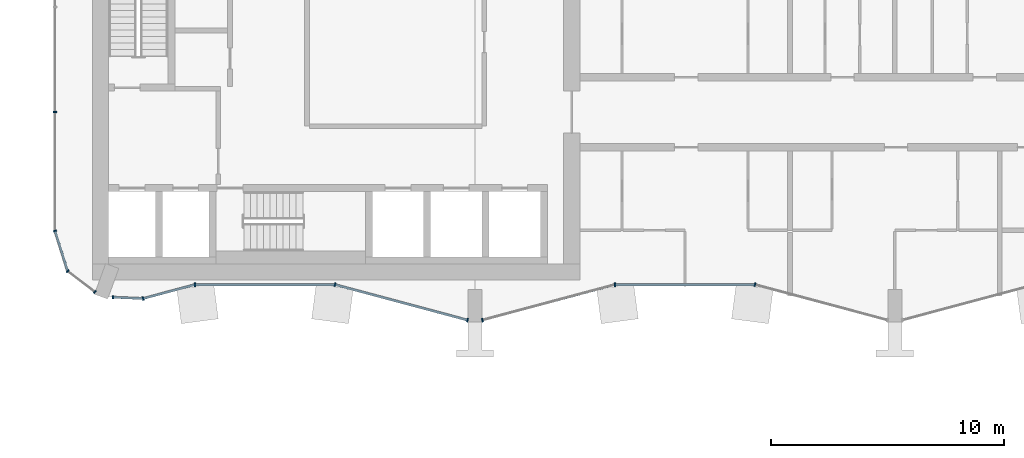
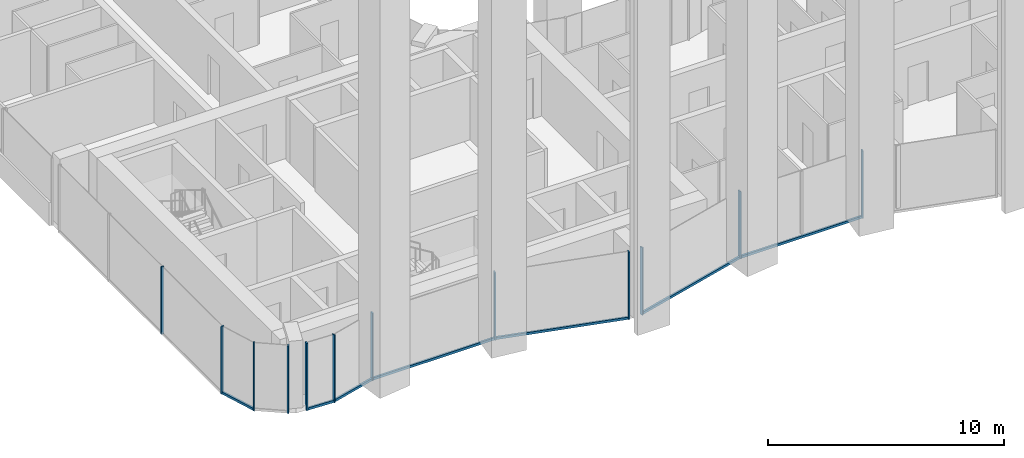
# One storey, part 2 of 27: 19 members, 10 elements without a shape of their own.
"""IFC4 building model written with IfcOpenShell, lengths in metres."""

from ifc_helpers import new_model, si_unit, direction, frame, origin, origin_2d, place, context, subcontext, project, spatial, rectangle, extrude, material, layer, layer_set, material_profile, profile_set, type_object, element, aggregate, save


model = new_model("IFC4")

# Units and contexts
model_context = context("Model", 3, precision=1e-05, world=origin(), true_north=direction((0.0, 1.0)))
body_context = subcontext(model_context, "Body", "Model", "MODEL_VIEW")
ifc_project = project(units=[si_unit("LENGTHUNIT", "METRE"), si_unit("AREAUNIT", "SQUARE_METRE"), si_unit("VOLUMEUNIT", "CUBIC_METRE"), si_unit("PLANEANGLEUNIT", "RADIAN"), si_unit("MASSUNIT", "GRAM", prefix="KILO")], contexts=[model_context])

# Site, building, storey
site_placement = place(None, origin())
site = spatial("IfcSite", under=ifc_project, at=site_placement, CompositionType="ELEMENT")
building_placement = place(site_placement, origin())
building = spatial("IfcBuilding", under=site, at=building_placement, Name="Plateau Cross Towers", CompositionType="ELEMENT")
storey_placement = place(building_placement, frame((0.0, 0.0, 78.300048828125)))
storey = spatial("IfcBuildingStorey", under=building, at=storey_placement, Name="L19", CompositionType="ELEMENT", Elevation=78.300048828125)

# Curtain wall, member
ifc_material_1 = material(Name="Dark low-iron glass", Category="glass")
ifc_layer_1 = layer(ifc_material_1, 0.239990234375)
ifc_layer_set_1 = layer_set([ifc_layer_1], Name="Dark low-iron glass")
curtain_wall_type_1 = type_object("IfcCurtainWallType", Name="Curtain wall flush unitised CW-B", PredefinedType="NOTDEFINED", material=ifc_layer_set_1)
curtain_wall_1_placement = place(storey_placement, origin())
curtain_wall_1 = element("IfcCurtainWall", 1, at=curtain_wall_1_placement, inside=storey, type_object=curtain_wall_type_1, Name="ENV/A/L19/A0_177", PredefinedType="NOTDEFINED")
ifc_material_2 = material(Name="Black anodised aluminium", Category="aluminium")
ifc_material_profile_1 = material_profile(ifc_material_2, rectangle(XDim=0.06005859375, YDim=0.139892578125, at=origin_2d()), Name="MULLION 60x140")
ifc_profile_set_1 = profile_set([ifc_material_profile_1], Name="Black anodised aluminium")
member_type_1 = type_object("IfcMemberType", Name="Mullion 60x140 flush unitised", PredefinedType="MULLION", material=ifc_profile_set_1)
member_1_placement = place(storey_placement, frame((0.0, 9.0, -0.25), z_axis=(0.0, 0.0, 1.0), x_axis=(0.0, -1.0, 0.0)))
member_1 = element("IfcMember", 2, at=member_1_placement, type_object=member_type_1, Name="CW-B mullion 3", PredefinedType="MULLION", context=body_context, shape_type="SweptSolid", body=[
    extrude(rectangle(XDim=0.06005859375, YDim=0.139892578125, at=origin_2d()), origin(), (0.0, 0.0, 1.0), 3.5),
])
aggregate(curtain_wall_1, [member_1])

curtain_wall_2_placement = place(storey_placement, origin())
curtain_wall_2 = element("IfcCurtainWall", 3, at=curtain_wall_2_placement, inside=storey, type_object=curtain_wall_type_1, Name="ENV/A/L19/A0_39", PredefinedType="NOTDEFINED")
member_2_placement = place(storey_placement, frame((0.0, 3.9091796875, -0.25), z_axis=(0.0, 0.0, 1.0), x_axis=(0.300686174994, -0.95372313811, 0.0)))
member_2 = element("IfcMember", 4, at=member_2_placement, type_object=member_type_1, Name="CW-B mullion 1", PredefinedType="MULLION", context=body_context, shape_type="SweptSolid", body=[
    extrude(rectangle(XDim=0.06005859375, YDim=0.139892578125, at=origin_2d()), origin(), (0.0, 0.0, 1.0), 3.5),
])

# Curtain wall, members
curtain_wall_3_placement = place(storey_placement, origin())
curtain_wall_3 = element("IfcCurtainWall", 5, at=curtain_wall_3_placement, inside=storey, type_object=curtain_wall_type_1, Name="ENV/A/L19/A5_22", PredefinedType="NOTDEFINED")
member_3_placement = place(storey_placement, frame((0.54248046875, 2.1884765625, -0.25), z_axis=(0.0, 0.0, 1.0), x_axis=(0.793315514529, -0.608810721331, 0.0)))
member_3 = element("IfcMember", 6, at=member_3_placement, type_object=member_type_1, Name="CW-B mullion 1", PredefinedType="MULLION", context=body_context, shape_type="SweptSolid", body=[
    extrude(rectangle(XDim=0.06005859375, YDim=0.139892578125, at=origin_2d()), origin(), (0.0, 0.0, 1.0), 3.5),
])
member_4_placement = place(storey_placement, frame((1.709716796875, 1.292724609375, -0.25), z_axis=(0.0, 0.0, 1.0), x_axis=(0.793315514529, -0.608810721331, 0.0)))
member_4 = element("IfcMember", 7, at=member_4_placement, type_object=member_type_1, Name="CW-B mullion 2", PredefinedType="MULLION", context=body_context, shape_type="SweptSolid", body=[
    extrude(rectangle(XDim=0.06005859375, YDim=0.139892578125, at=origin_2d()), origin(), (0.0, 0.0, 1.0), 3.5),
])
aggregate(curtain_wall_3, [member_3, member_4])

# Curtain wall, member
curtain_wall_4_placement = place(storey_placement, origin())
curtain_wall_4 = element("IfcCurtainWall", 8, at=curtain_wall_4_placement, inside=storey, type_object=curtain_wall_type_1, Name="ENV/A/L19/A25_11", PredefinedType="NOTDEFINED")
member_5_placement = place(storey_placement, frame((2.483642578125, 1.06787109375, -0.25), z_axis=(0.0, 0.0, 1.0), x_axis=(0.999043701491, -0.043722791671, 0.0)))
member_5 = element("IfcMember", 9, at=member_5_placement, type_object=member_type_1, Name="CW-B mullion 1", PredefinedType="MULLION", context=body_context, shape_type="SweptSolid", body=[
    extrude(rectangle(XDim=0.06005859375, YDim=0.139892578125, at=origin_2d()), origin(), (0.0, 0.0, 1.0), 3.5),
])

ifc_layer_2 = layer(ifc_material_1, 0.260009765625)
ifc_layer_set_2 = layer_set([ifc_layer_2], Name="Dark low-iron glass")
curtain_wall_type_2 = type_object("IfcCurtainWallType", Name="Curtain wall fluted unitised CW-A", PredefinedType="NOTDEFINED", material=ifc_layer_set_2)
curtain_wall_5_placement = place(storey_placement, origin())
curtain_wall_5 = element("IfcCurtainWall", 10, at=curtain_wall_5_placement, inside=storey, type_object=curtain_wall_type_2, Name="ENV/A/L19/A38_10", PredefinedType="NOTDEFINED")
ifc_material_profile_2 = material_profile(ifc_material_2, rectangle(XDim=0.06005859375, YDim=0.159912109375, at=origin_2d()), Name="MULLION 60x160")
ifc_profile_set_2 = profile_set([ifc_material_profile_2], Name="Black anodised aluminium")
member_type_2 = type_object("IfcMemberType", Name="Mullion 60x160 fluted unitised", PredefinedType="MULLION", material=ifc_profile_set_2)
member_6_placement = place(storey_placement, frame((3.776123046875, 1.01123046875, -0.25), z_axis=(0.0, 0.0, 1.0), x_axis=(0.965957962328, 0.258699081978, 0.0)))
member_6 = element("IfcMember", 11, at=member_6_placement, type_object=member_type_2, Name="CW-A mullion 1", PredefinedType="MULLION", context=body_context, shape_type="SweptSolid", body=[
    extrude(rectangle(XDim=0.06005859375, YDim=0.159912109375, at=origin_2d()), origin(), (0.0, 0.0, 1.0), 3.5),
])

curtain_wall_6_placement = place(storey_placement, origin())
curtain_wall_6 = element("IfcCurtainWall", 12, at=curtain_wall_6_placement, inside=storey, type_object=curtain_wall_type_2, Name="ENV/A/L19/A60_16", PredefinedType="NOTDEFINED")
member_7_placement = place(storey_placement, frame((6.0, 1.60693359375, -0.25), z_axis=(0.0, 0.0, 1.0), x_axis=(1.0, 0.0, 0.0)))
member_7 = element("IfcMember", 13, at=member_7_placement, type_object=member_type_2, Name="CW-A mullion 1", PredefinedType="MULLION", context=body_context, shape_type="SweptSolid", body=[
    extrude(rectangle(XDim=0.06005859375, YDim=0.159912109375, at=origin_2d()), origin(), (0.0, 0.0, 1.0), 3.5),
])

# Curtain wall, members
curtain_wall_7_placement = place(storey_placement, origin())
curtain_wall_7 = element("IfcCurtainWall", 14, at=curtain_wall_7_placement, inside=storey, type_object=curtain_wall_type_2, Name="ENV/A/L19/A120_16", PredefinedType="NOTDEFINED")
member_8_placement = place(storey_placement, frame((12.0, 1.60693359375, -0.25), z_axis=(0.0, 0.0, 1.0), x_axis=(0.965957983404, -0.258699003279, 0.0)))
member_8 = element("IfcMember", 15, at=member_8_placement, type_object=member_type_2, Name="CW-A mullion 1", PredefinedType="MULLION", context=body_context, shape_type="SweptSolid", body=[
    extrude(rectangle(XDim=0.06005859375, YDim=0.159912109375, at=origin_2d()), origin(), (0.0, 0.0, 1.0), 3.5),
])
member_9_placement = place(storey_placement, frame((17.68212890625, 0.085205078125, -0.25), z_axis=(0.0, 0.0, 1.0), x_axis=(0.965957983404, -0.258699003279, 0.0)))
member_9 = element("IfcMember", 16, at=member_9_placement, type_object=member_type_2, Name="CW-A mullion 2", PredefinedType="MULLION", context=body_context, shape_type="SweptSolid", body=[
    extrude(rectangle(XDim=0.06005859375, YDim=0.159912109375, at=origin_2d()), origin(), (0.0, 0.0, 1.0), 3.5),
])

# Curtain wall, member
curtain_wall_8_placement = place(storey_placement, origin())
curtain_wall_8 = element("IfcCurtainWall", 17, at=curtain_wall_8_placement, inside=storey, type_object=curtain_wall_type_2, Name="ENV/A/L19/A183_1", PredefinedType="NOTDEFINED")
member_10_placement = place(storey_placement, frame((18.31787109375, 0.085205078125, -0.25), z_axis=(0.0, 0.0, 1.0), x_axis=(0.965957983404, 0.258699003279, 0.0)))
member_10 = element("IfcMember", 18, at=member_10_placement, type_object=member_type_2, Name="CW-A mullion 1", PredefinedType="MULLION", context=body_context, shape_type="SweptSolid", body=[
    extrude(rectangle(XDim=0.06005859375, YDim=0.159912109375, at=origin_2d()), origin(), (0.0, 0.0, 1.0), 3.5),
])

curtain_wall_9_placement = place(storey_placement, origin())
curtain_wall_9 = element("IfcCurtainWall", 19, at=curtain_wall_9_placement, inside=storey, type_object=curtain_wall_type_2, Name="ENV/A/L19/A240_16", PredefinedType="NOTDEFINED")
member_11_placement = place(storey_placement, frame((24.0, 1.60693359375, -0.25), z_axis=(0.0, 0.0, 1.0), x_axis=(1.0, 0.0, 0.0)))
member_11 = element("IfcMember", 20, at=member_11_placement, type_object=member_type_2, Name="CW-A mullion 1", PredefinedType="MULLION", context=body_context, shape_type="SweptSolid", body=[
    extrude(rectangle(XDim=0.06005859375, YDim=0.159912109375, at=origin_2d()), origin(), (0.0, 0.0, 1.0), 3.5),
])

curtain_wall_10_placement = place(storey_placement, origin())
curtain_wall_10 = element("IfcCurtainWall", 21, at=curtain_wall_10_placement, inside=storey, type_object=curtain_wall_type_2, Name="ENV/A/L19/A300_16", PredefinedType="NOTDEFINED")
member_12_placement = place(storey_placement, frame((30.0, 1.60693359375, -0.25), z_axis=(0.0, 0.0, 1.0), x_axis=(0.965957983404, -0.258699003279, 0.0)))
member_12 = element("IfcMember", 22, at=member_12_placement, type_object=member_type_2, Name="CW-A mullion 1", PredefinedType="MULLION", context=body_context, shape_type="SweptSolid", body=[
    extrude(rectangle(XDim=0.06005859375, YDim=0.159912109375, at=origin_2d()), origin(), (0.0, 0.0, 1.0), 3.5),
])
aggregate(curtain_wall_10, [member_12])

# Member
ifc_material_profile_3 = material_profile(ifc_material_2, rectangle(XDim=0.10009765625, YDim=0.1201171875, at=origin_2d()), Name="TRANSOM 100x120")
ifc_profile_set_3 = profile_set([ifc_material_profile_3], Name="Black anodised aluminium")
member_type_3 = type_object("IfcMemberType", Name="Transom 100x120 flush unitised", PredefinedType="USERDEFINED", material=ifc_profile_set_3)
member_13_placement = place(storey_placement, frame((0.0, 3.9091796875, -0.18994140625), z_axis=(0.30067799945, -0.953725715626, 0.0), x_axis=(0.953725715626, 0.30067799945, 0.0)))
member_13 = element("IfcMember", 23, at=member_13_placement, type_object=member_type_3, Name="CW-B transom", ObjectType="TRANSOM", PredefinedType="USERDEFINED", context=body_context, shape_type="SweptSolid", body=[
    extrude(rectangle(XDim=0.10009765625, YDim=0.1201171875, at=origin_2d()), origin(), (0.0, 0.0, 1.0), 1.80419921875),
])

aggregate(curtain_wall_2, [member_2, member_13])

member_14_placement = place(storey_placement, frame((2.483642578125, 1.06787109375, -0.18994140625), z_axis=(0.999041144614, -0.043781175963, 0.0), x_axis=(0.043781175963, 0.999041144614, 0.0)))
member_14 = element("IfcMember", 24, at=member_14_placement, type_object=member_type_3, Name="CW-B transom", ObjectType="TRANSOM", PredefinedType="USERDEFINED", context=body_context, shape_type="SweptSolid", body=[
    extrude(rectangle(XDim=0.10009765625, YDim=0.1201171875, at=origin_2d()), origin(), (0.0, 0.0, 1.0), 1.293701171875),
])

aggregate(curtain_wall_4, [member_5, member_14])

ifc_material_profile_4 = material_profile(ifc_material_2, rectangle(XDim=0.10009765625, YDim=0.1201171875, at=origin_2d()), Name="TRANSOM 100x120")
ifc_profile_set_4 = profile_set([ifc_material_profile_4], Name="Black anodised aluminium")
member_type_4 = type_object("IfcMemberType", Name="Transom 100x120 fluted unitised", PredefinedType="USERDEFINED", material=ifc_profile_set_4)
member_15_placement = place(storey_placement, frame((3.776123046875, 1.01123046875, -0.18994140625), z_axis=(0.965945685136, 0.258744919501, 0.0), x_axis=(-0.258744919501, 0.965945685136, 0.0)))
member_15 = element("IfcMember", 25, at=member_15_placement, type_object=member_type_4, Name="CW-A transom", ObjectType="TRANSOM", PredefinedType="USERDEFINED", context=body_context, shape_type="SweptSolid", body=[
    extrude(rectangle(XDim=0.10009765625, YDim=0.1201171875, at=origin_2d()), origin(), (0.0, 0.0, 1.0), 2.30224609375),
])

aggregate(curtain_wall_5, [member_6, member_15])

member_16_placement = place(storey_placement, frame((6.0, 1.60693359375, -0.18994140625), z_axis=(1.0, 0.0, 0.0), x_axis=(0.0, 1.0, 0.0)))
member_16 = element("IfcMember", 26, at=member_16_placement, type_object=member_type_4, Name="CW-A transom", ObjectType="TRANSOM", PredefinedType="USERDEFINED", context=body_context, shape_type="SweptSolid", body=[
    extrude(rectangle(XDim=0.10009765625, YDim=0.1201171875, at=origin_2d()), origin(), (0.0, 0.0, 1.0), 6.0),
])

aggregate(curtain_wall_6, [member_7, member_16])

member_17_placement = place(storey_placement, frame((12.0, 1.60693359375, -0.18994140625), z_axis=(0.965959534794, -0.258693210465, 0.0), x_axis=(0.258693210465, 0.965959534794, 0.0)))
member_17 = element("IfcMember", 27, at=member_17_placement, type_object=member_type_4, Name="CW-A transom", ObjectType="TRANSOM", PredefinedType="USERDEFINED", context=body_context, shape_type="SweptSolid", body=[
    extrude(rectangle(XDim=0.10009765625, YDim=0.1201171875, at=origin_2d()), origin(), (0.0, 0.0, 1.0), 5.88232421875),
])

aggregate(curtain_wall_7, [member_8, member_9, member_17])

member_18_placement = place(storey_placement, frame((18.31787109375, 0.085205078125, -0.18994140625), z_axis=(0.965959534794, 0.258693210465, 0.0), x_axis=(-0.258693210465, 0.965959534794, 0.0)))
member_18 = element("IfcMember", 28, at=member_18_placement, type_object=member_type_4, Name="CW-A transom", ObjectType="TRANSOM", PredefinedType="USERDEFINED", context=body_context, shape_type="SweptSolid", body=[
    extrude(rectangle(XDim=0.10009765625, YDim=0.1201171875, at=origin_2d()), origin(), (0.0, 0.0, 1.0), 5.88232421875),
])

aggregate(curtain_wall_8, [member_10, member_18])

member_19_placement = place(storey_placement, frame((24.0, 1.60693359375, -0.18994140625), z_axis=(1.0, 0.0, 0.0), x_axis=(0.0, 1.0, 0.0)))
member_19 = element("IfcMember", 29, at=member_19_placement, type_object=member_type_4, Name="CW-A transom", ObjectType="TRANSOM", PredefinedType="USERDEFINED", context=body_context, shape_type="SweptSolid", body=[
    extrude(rectangle(XDim=0.10009765625, YDim=0.1201171875, at=origin_2d()), origin(), (0.0, 0.0, 1.0), 6.0),
])

aggregate(curtain_wall_9, [member_11, member_19])

save(model, "model.ifc")
